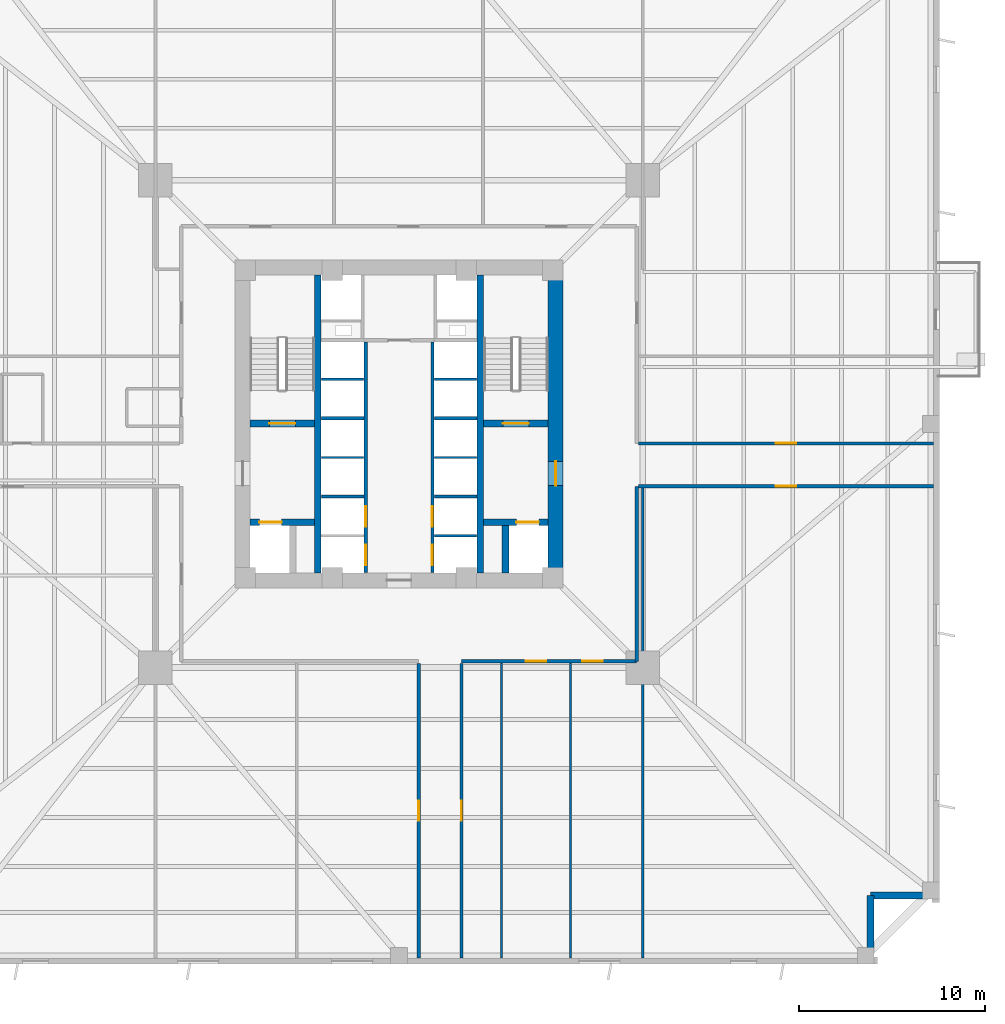
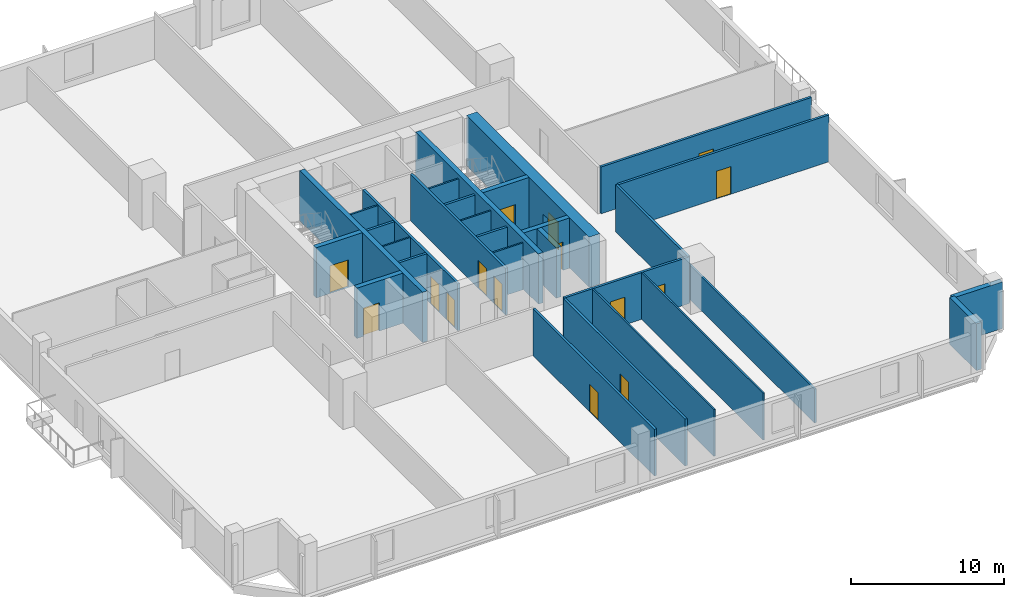
# One storey, part 3 of 9: 30 walls, 15 doors, 15 openings.
"""IFC4 building model written with IfcOpenShell, lengths in metres."""

from ifc_helpers import new_model, si_unit, direction, frame, frame_2d, origin, place, context, subcontext, project, spatial, rectangle, extrude, source, transform, mapped, material, layer, layer_set, type_object, element, fill, save


model = new_model("IFC4")

# Units and contexts
model_context = context("Model", 3, precision=1e-05, world=origin(), true_north=direction((0.0, 1.0)))
body_context = subcontext(model_context, "Body", "Model", "MODEL_VIEW")
ifc_project = project(units=[si_unit("LENGTHUNIT", "METRE"), si_unit("AREAUNIT", "SQUARE_METRE"), si_unit("VOLUMEUNIT", "CUBIC_METRE"), si_unit("PLANEANGLEUNIT", "RADIAN"), si_unit("MASSUNIT", "GRAM", prefix="KILO"), si_unit("THERMODYNAMICTEMPERATUREUNIT", "KELVIN")], contexts=[model_context])

# Site, building, storey
site_placement = place(None, origin())
site = spatial("IfcSite", under=ifc_project, at=site_placement, CompositionType="ELEMENT")
building_placement = place(site_placement, origin())
building = spatial("IfcBuilding", under=site, at=building_placement, Name="Kosmvard Interchange Tower", CompositionType="ELEMENT")
storey_placement = place(building_placement, frame((0.0, 0.0, 70.0)))
storey = spatial("IfcBuildingStorey", under=building, at=storey_placement, Name="L16", CompositionType="ELEMENT", Elevation=70.0)

# Wall
ifc_material_1 = material(Name="Acoustic gypsum partition system")
ifc_layer_1 = layer(ifc_material_1, 0.14990234375, Name="Acoustic gypsum partition system")
ifc_layer_set_1 = layer_set([ifc_layer_1], Name="Acoustic gypsum partition system")
wall_type_1 = type_object("IfcWallType", Name="Acoustic Suite & Meeting Partition 150", PredefinedType="PARTITIONING", material=ifc_layer_set_1)
wall_1_placement = place(storey_placement, frame((13.0810546875, -28.68505859375, 0.0), z_axis=(0.0, 0.0, 1.0), x_axis=(0.0, 1.0, 0.0)))
element("IfcWall", 1, at=wall_1_placement, inside=storey, type_object=wall_type_1, Name="L16 Room Partition 11.1", PredefinedType="PARTITIONING", context=body_context, shape_type="SweptSolid", body=[
    extrude(rectangle(XDim=25.239990234375, YDim=0.14990234375, at=frame_2d((12.6201171875, 0.0))), origin(), (0.0, 0.0, 1.0), 2.7119140625),
])

# Wall, openings, doors
ifc_material_2 = material(Name="Fire-rated gypsum partition system")
ifc_layer_2 = layer(ifc_material_2, 0.179931640625, Name="Fire-rated gypsum partition system")
ifc_layer_set_2 = layer_set([ifc_layer_2], Name="Fire-rated gypsum partition system")
wall_type_2 = type_object("IfcWallType", Name="Corridor & Hotel Compartment Partition 180", PredefinedType="PARTITIONING", material=ifc_layer_set_2)
wall_2_placement = place(storey_placement, frame((-1.7900390625, -7.97998046875, 0.0), z_axis=(0.0, 0.0, 1.0), x_axis=(0.0, 1.0, 0.0)))
wall_2 = element("IfcWall", 2, at=wall_2_placement, inside=storey, type_object=wall_type_2, Name="L16 West Lift Bank Front Wall", PredefinedType="PARTITIONING", context=body_context, shape_type="SweptSolid", body=[
    extrude(rectangle(XDim=12.3798828125, YDim=0.179931640625, at=frame_2d((6.18994140625, 0.0))), origin(), (0.0, 0.0, 1.0), 3.719970703125),
])
opening_1_placement = place(wall_2_placement, frame((0.39990234375, 0.0, 0.0)))
opening_1 = element("IfcOpeningElement", 3, at=opening_1_placement, cuts=wall_2, Name="Opening LD-PL-L1-L16", PredefinedType="OPENING", context=body_context, shape_type="SweptSolid", body=[
    extrude(rectangle(XDim=1.10009765625, YDim=2.199951171875, at=frame_2d((0.550048828125, 1.10009765625))), frame((0.0, 0.10009765625, 0.0), z_axis=(0.0, -1.0, 0.0), x_axis=(1.0, 0.0, 0.0)), (0.0, 0.0, 1.0), 0.199951171875),
])
opening_2_placement = place(wall_2_placement, frame((2.4599609375, 0.0, 0.0)))
opening_2 = element("IfcOpeningElement", 4, at=opening_2_placement, cuts=wall_2, Name="Opening LD-PL-L2-L16", PredefinedType="OPENING", context=body_context, shape_type="SweptSolid", body=[
    extrude(rectangle(XDim=1.10009765625, YDim=2.199951171875, at=frame_2d((0.550048828125, 1.10009765625))), frame((0.0, 0.10009765625, 0.0), z_axis=(0.0, -1.0, 0.0), x_axis=(1.0, 0.0, 0.0)), (0.0, 0.0, 1.0), 0.199951171875),
])
ifc_material_3 = material(Name="Brushed stainless steel sliding leaf", Category="steel")
door_type_1 = type_object("IfcDoorType", Name="Passenger Lift Sliding Landing Door 1100x2200 EI60", OperationType="DOUBLE_DOOR_SLIDING", PredefinedType="DOOR", material=ifc_material_3)
shared_shape_1 = source(origin(), body_context, "Body", "SweptSolid", [
    extrude(rectangle(XDim=1.10009765625, YDim=2.199951171875, at=frame_2d((0.550048828125, 1.10009765625))), frame((0.0, 0.02490234375, 0.0), z_axis=(0.0, -1.0, 0.0), x_axis=(1.0, 0.0, 0.0)), (0.0, 0.0, 1.0), 0.050048828125),
])
door_1_placement = place(opening_1_placement, frame((1.10009765625, 0.0, 0.0), z_axis=(0.0, 0.0, 1.0), x_axis=(-1.0, 0.0, 0.0)))
door_1 = element("IfcDoor", 5, at=door_1_placement, inside=storey, type_object=door_type_1, Name="Lift PL-L1 Landing Door L16", OperationType="DOUBLE_DOOR_SLIDING", OverallHeight=2.199951171875, OverallWidth=1.10009765625, PredefinedType="DOOR", context=body_context, shape_type="MappedRepresentation", body=[
    mapped(shared_shape_1, transform((0.0, 0.0, 0.0), scale=1.0)),
])
fill(opening_1, door_1)
door_2_placement = place(opening_2_placement, frame((1.10009765625, 0.0, 0.0), z_axis=(0.0, 0.0, 1.0), x_axis=(-1.0, 0.0, 0.0)))
door_2 = element("IfcDoor", 6, at=door_2_placement, inside=storey, type_object=door_type_1, Name="Lift PL-L2 Landing Door L16", OperationType="DOUBLE_DOOR_SLIDING", OverallHeight=2.199951171875, OverallWidth=1.10009765625, PredefinedType="DOOR", context=body_context, shape_type="MappedRepresentation", body=[
    mapped(shared_shape_1, transform((0.0, 0.0, 0.0), scale=1.0)),
])
fill(opening_2, door_2)

wall_3_placement = place(storey_placement, frame((1.7900390625, -7.97998046875, 0.0), z_axis=(0.0, 0.0, 1.0), x_axis=(0.0, 1.0, 0.0)))
wall_3 = element("IfcWall", 7, at=wall_3_placement, inside=storey, type_object=wall_type_2, Name="L16 East Lift Bank Front Wall", PredefinedType="PARTITIONING", context=body_context, shape_type="SweptSolid", body=[
    extrude(rectangle(XDim=12.3798828125, YDim=0.179931640625, at=frame_2d((6.18994140625, 0.0))), origin(), (0.0, 0.0, 1.0), 3.719970703125),
])
opening_3_placement = place(wall_3_placement, frame((0.39990234375, 0.0, 0.0)))
opening_3 = element("IfcOpeningElement", 8, at=opening_3_placement, cuts=wall_3, Name="Opening LD-PL-L3-L16", PredefinedType="OPENING", context=body_context, shape_type="SweptSolid", body=[
    extrude(rectangle(XDim=1.10009765625, YDim=2.199951171875, at=frame_2d((0.550048828125, 1.10009765625))), frame((0.0, 0.10009765625, 0.0), z_axis=(0.0, -1.0, 0.0), x_axis=(1.0, 0.0, 0.0)), (0.0, 0.0, 1.0), 0.199951171875),
])
opening_4_placement = place(wall_3_placement, frame((2.4599609375, 0.0, 0.0)))
opening_4 = element("IfcOpeningElement", 9, at=opening_4_placement, cuts=wall_3, Name="Opening LD-PL-L4-L16", PredefinedType="OPENING", context=body_context, shape_type="SweptSolid", body=[
    extrude(rectangle(XDim=1.10009765625, YDim=2.199951171875, at=frame_2d((0.550048828125, 1.10009765625))), frame((0.0, 0.10009765625, 0.0), z_axis=(0.0, -1.0, 0.0), x_axis=(1.0, 0.0, 0.0)), (0.0, 0.0, 1.0), 0.199951171875),
])
door_3_placement = place(opening_3_placement, origin())
door_3 = element("IfcDoor", 10, at=door_3_placement, inside=storey, type_object=door_type_1, Name="Lift PL-L3 Landing Door L16", OperationType="DOUBLE_DOOR_SLIDING", OverallHeight=2.199951171875, OverallWidth=1.10009765625, PredefinedType="DOOR", context=body_context, shape_type="MappedRepresentation", body=[
    mapped(shared_shape_1, transform((0.0, 0.0, 0.0), scale=1.0)),
])
fill(opening_3, door_3)
door_4_placement = place(opening_4_placement, origin())
door_4 = element("IfcDoor", 11, at=door_4_placement, inside=storey, type_object=door_type_1, Name="Lift PL-L4 Landing Door L16", OperationType="DOUBLE_DOOR_SLIDING", OverallHeight=2.199951171875, OverallWidth=1.10009765625, PredefinedType="DOOR", context=body_context, shape_type="MappedRepresentation", body=[
    mapped(shared_shape_1, transform((0.0, 0.0, 0.0), scale=1.0)),
])
fill(opening_4, door_4)

wall_4_placement = place(storey_placement, frame((3.35009765625, -12.75, 0.0), z_axis=(0.0, 0.0, 1.0), x_axis=(1.0, 0.0, 0.0)))
wall_4 = element("IfcWall", 12, at=wall_4_placement, inside=storey, type_object=wall_type_2, Name="L16 Corridor Wall CSE", PredefinedType="PARTITIONING", context=body_context, shape_type="SweptSolid", body=[
    extrude(rectangle(XDim=9.39990234375, YDim=0.179931640625, at=frame_2d((4.699951171875, 0.0))), origin(), (0.0, 0.0, 1.0), 3.719970703125),
])
opening_5_placement = place(wall_4_placement, frame((3.449951171875, 0.0, 0.0)))
opening_5 = element("IfcOpeningElement", 13, at=opening_5_placement, cuts=wall_4, Name="Opening L16-D11", PredefinedType="OPENING", context=body_context, shape_type="SweptSolid", body=[
    extrude(rectangle(XDim=1.10009765625, YDim=2.199951171875, at=frame_2d((0.550048828125, 1.10009765625))), frame((0.0, 0.10009765625, 0.0), z_axis=(0.0, -1.0, 0.0), x_axis=(1.0, 0.0, 0.0)), (0.0, 0.0, 1.0), 0.199951171875),
])
opening_6_placement = place(wall_4_placement, frame((6.470458984375, 0.0, 0.0)))
opening_6 = element("IfcOpeningElement", 14, at=opening_6_placement, cuts=wall_4, Name="Opening L16-D12", PredefinedType="OPENING", context=body_context, shape_type="SweptSolid", body=[
    extrude(rectangle(XDim=1.10009765625, YDim=2.199951171875, at=frame_2d((0.550048828125, 1.10009765625))), frame((0.0, 0.10009765625, 0.0), z_axis=(0.0, -1.0, 0.0), x_axis=(1.0, 0.0, 0.0)), (0.0, 0.0, 1.0), 0.199951171875),
])
ifc_material_4 = material(Name="Engineered oak fire-rated timber", Category="wood")
door_type_2 = type_object("IfcDoorType", Name="Office Suite Entrance Door 1100x2200 FD30S", OperationType="NOTDEFINED", PredefinedType="DOOR", material=ifc_material_4)
door_5_placement = place(opening_5_placement, frame((1.10009765625, 0.0, 0.0), z_axis=(0.0, 0.0, 1.0), x_axis=(-1.0, 0.0, 0.0)))
door_5 = element("IfcDoor", 15, at=door_5_placement, inside=storey, type_object=door_type_2, Name="L16 Equipment Store 2 Door", OperationType="SINGLE_SWING_LEFT", OverallHeight=2.199951171875, OverallWidth=1.10009765625, PredefinedType="DOOR", context=body_context, shape_type="MappedRepresentation", body=[
    mapped(shared_shape_1, transform((0.0, 0.0, 0.0), scale=1.0)),
])
fill(opening_5, door_5)
door_6_placement = place(opening_6_placement, frame((1.10009765625, 0.0, 0.0), z_axis=(0.0, 0.0, 1.0), x_axis=(-1.0, 0.0, 0.0)))
door_6 = element("IfcDoor", 16, at=door_6_placement, inside=storey, type_object=door_type_2, Name="L16 Archive Store 3 Door", OperationType="SINGLE_SWING_RIGHT", OverallHeight=2.199951171875, OverallWidth=1.10009765625, PredefinedType="DOOR", context=body_context, shape_type="MappedRepresentation", body=[
    mapped(shared_shape_1, transform((0.0, 0.0, 0.0), scale=1.0)),
])
fill(opening_6, door_6)

# Wall
wall_5_placement = place(storey_placement, frame((12.75, -12.75, 0.0), z_axis=(0.0, 0.0, 1.0), x_axis=(0.0, 1.0, 0.0)))
element("IfcWall", 17, at=wall_5_placement, inside=storey, type_object=wall_type_2, Name="L16 Corridor Wall CES", PredefinedType="PARTITIONING", context=body_context, shape_type="SweptSolid", body=[
    extrude(rectangle(XDim=9.39990234375, YDim=0.179931640625, at=frame_2d((4.699951171875, 0.0))), origin(), (0.0, 0.0, 1.0), 3.719970703125),
])

# Wall, opening, door
wall_6_placement = place(storey_placement, frame((12.85009765625, -3.35009765625, 0.0), z_axis=(0.0, 0.0, 1.0), x_axis=(1.0, 0.0, 0.0)))
wall_6 = element("IfcWall", 18, at=wall_6_placement, inside=storey, type_object=wall_type_2, Name="L16 Corridor Wall SES", PredefinedType="PARTITIONING", context=body_context, shape_type="SweptSolid", body=[
    extrude(rectangle(XDim=15.8349609375, YDim=0.179931640625, at=frame_2d((7.91748046875, 0.0))), origin(), (0.0, 0.0, 1.0), 3.719970703125),
])
opening_7_placement = place(wall_6_placement, frame((7.367431640625, 0.0, 0.0)))
opening_7 = element("IfcOpeningElement", 19, at=opening_7_placement, cuts=wall_6, Name="Opening L16-D13", PredefinedType="OPENING", context=body_context, shape_type="SweptSolid", body=[
    extrude(rectangle(XDim=1.10009765625, YDim=2.199951171875, at=frame_2d((0.550048828125, 1.10009765625))), frame((0.0, 0.10009765625, 0.0), z_axis=(0.0, -1.0, 0.0), x_axis=(1.0, 0.0, 0.0)), (0.0, 0.0, 1.0), 0.199951171875),
])
door_7_placement = place(opening_7_placement, frame((1.10009765625, 0.0, 0.0), z_axis=(0.0, 0.0, 1.0), x_axis=(-1.0, 0.0, 0.0)))
door_7 = element("IfcDoor", 20, at=door_7_placement, inside=storey, type_object=door_type_2, Name="L16 South-East Open Studio Door", OperationType="SINGLE_SWING_LEFT", OverallHeight=2.199951171875, OverallWidth=1.10009765625, PredefinedType="DOOR", context=body_context, shape_type="MappedRepresentation", body=[
    mapped(shared_shape_1, transform((0.0, 0.0, 0.0), scale=1.0)),
])
fill(opening_7, door_7)

wall_7_placement = place(storey_placement, frame((12.85009765625, -1.050048828125, 0.0), z_axis=(0.0, 0.0, 1.0), x_axis=(1.0, 0.0, 0.0)))
wall_7 = element("IfcWall", 21, at=wall_7_placement, inside=storey, type_object=wall_type_2, Name="L16 Corridor Wall SEN", PredefinedType="PARTITIONING", context=body_context, shape_type="SweptSolid", body=[
    extrude(rectangle(XDim=15.8349609375, YDim=0.179931640625, at=frame_2d((7.91748046875, 0.0))), origin(), (0.0, 0.0, 1.0), 3.719970703125),
])
opening_8_placement = place(wall_7_placement, frame((7.367431640625, 0.0, 0.0)))
opening_8 = element("IfcOpeningElement", 22, at=opening_8_placement, cuts=wall_7, Name="Opening L16-D08", PredefinedType="OPENING", context=body_context, shape_type="SweptSolid", body=[
    extrude(rectangle(XDim=1.10009765625, YDim=2.199951171875, at=frame_2d((0.550048828125, 1.10009765625))), frame((0.0, 0.10009765625, 0.0), z_axis=(0.0, -1.0, 0.0), x_axis=(1.0, 0.0, 0.0)), (0.0, 0.0, 1.0), 0.199951171875),
])
door_8_placement = place(opening_8_placement, origin())
door_8 = element("IfcDoor", 23, at=door_8_placement, inside=storey, type_object=door_type_2, Name="L16 East Operations Office 1 Door", OperationType="SINGLE_SWING_RIGHT", OverallHeight=2.199951171875, OverallWidth=1.10009765625, PredefinedType="DOOR", context=body_context, shape_type="MappedRepresentation", body=[
    mapped(shared_shape_1, transform((0.0, 0.0, 0.0), scale=1.0)),
])
fill(opening_8, door_8)

wall_8_placement = place(storey_placement, frame((1.050048828125, -28.68505859375, 0.0), z_axis=(0.0, 0.0, 1.0), x_axis=(0.0, 1.0, 0.0)))
wall_8 = element("IfcWall", 24, at=wall_8_placement, inside=storey, type_object=wall_type_2, Name="L16 Corridor Wall SSW", PredefinedType="PARTITIONING", context=body_context, shape_type="SweptSolid", body=[
    extrude(rectangle(XDim=15.8349609375, YDim=0.179931640625, at=frame_2d((7.91748046875, 0.0))), origin(), (0.0, 0.0, 1.0), 3.719970703125),
])
opening_9_placement = place(wall_8_placement, frame((7.367431640625, 0.0, 0.0)))
opening_9 = element("IfcOpeningElement", 25, at=opening_9_placement, cuts=wall_8, Name="Opening L16-D16", PredefinedType="OPENING", context=body_context, shape_type="SweptSolid", body=[
    extrude(rectangle(XDim=1.10009765625, YDim=2.199951171875, at=frame_2d((0.550048828125, 1.10009765625))), frame((0.0, 0.10009765625, 0.0), z_axis=(0.0, -1.0, 0.0), x_axis=(1.0, 0.0, 0.0)), (0.0, 0.0, 1.0), 0.199951171875),
])
door_9_placement = place(opening_9_placement, origin())
door_9 = element("IfcDoor", 26, at=door_9_placement, inside=storey, type_object=door_type_2, Name="L16 Janitorial Store 4 Door", OperationType="SINGLE_SWING_RIGHT", OverallHeight=2.199951171875, OverallWidth=1.10009765625, PredefinedType="DOOR", context=body_context, shape_type="MappedRepresentation", body=[
    mapped(shared_shape_1, transform((0.0, 0.0, 0.0), scale=1.0)),
])
fill(opening_9, door_9)

wall_9_placement = place(storey_placement, frame((3.35009765625, -28.68505859375, 0.0), z_axis=(0.0, 0.0, 1.0), x_axis=(0.0, 1.0, 0.0)))
wall_9 = element("IfcWall", 27, at=wall_9_placement, inside=storey, type_object=wall_type_2, Name="L16 Corridor Wall SSE", PredefinedType="PARTITIONING", context=body_context, shape_type="SweptSolid", body=[
    extrude(rectangle(XDim=15.8349609375, YDim=0.179931640625, at=frame_2d((7.91748046875, 0.0))), origin(), (0.0, 0.0, 1.0), 3.719970703125),
])
opening_10_placement = place(wall_9_placement, frame((7.367431640625, 0.0, 0.0)))
opening_10 = element("IfcOpeningElement", 28, at=opening_10_placement, cuts=wall_9, Name="Opening L16-D10", PredefinedType="OPENING", context=body_context, shape_type="SweptSolid", body=[
    extrude(rectangle(XDim=1.10009765625, YDim=2.199951171875, at=frame_2d((0.550048828125, 1.10009765625))), frame((0.0, 0.10009765625, 0.0), z_axis=(0.0, -1.0, 0.0), x_axis=(1.0, 0.0, 0.0)), (0.0, 0.0, 1.0), 0.199951171875),
])
door_10_placement = place(opening_10_placement, frame((1.10009765625, 0.0, 0.0), z_axis=(0.0, 0.0, 1.0), x_axis=(-1.0, 0.0, 0.0)))
door_10 = element("IfcDoor", 29, at=door_10_placement, inside=storey, type_object=door_type_2, Name="L16 Facility Supplies Store 1 Door", OperationType="SINGLE_SWING_RIGHT", OverallHeight=2.199951171875, OverallWidth=1.10009765625, PredefinedType="DOOR", context=body_context, shape_type="MappedRepresentation", body=[
    mapped(shared_shape_1, transform((0.0, 0.0, 0.0), scale=1.0)),
])
fill(opening_10, door_10)

ifc_material_5 = material(Name="Concrete C80/95", Category="concrete")
ifc_layer_3 = layer(ifc_material_5, 0.800048828125, Name="Concrete C80/95")
ifc_layer_set_3 = layer_set([ifc_layer_3], Name="Concrete C80/95")
wall_type_3 = type_object("IfcWallType", Name="Lower Core Shear Wall 800 C80/95", PredefinedType="SHEAR", material=ifc_layer_set_3)
wall_10_placement = place(storey_placement, frame((8.39990234375, -8.0, 0.0), z_axis=(0.0, 0.0, 1.0), x_axis=(0.0, 1.0, 0.0)))
wall_10 = element("IfcWall", 30, at=wall_10_placement, inside=storey, type_object=wall_type_3, Name="L16 Core Shear Wall CW-E", PredefinedType="SHEAR", context=body_context, shape_type="SweptSolid", body=[
    extrude(rectangle(XDim=16.0, YDim=0.800048828125, at=frame_2d((8.0, 0.0))), origin(), (0.0, 0.0, 1.0), 4.0),
])
opening_11_placement = place(wall_10_placement, frame((4.68994140625, 0.0, 0.0)))
opening_11 = element("IfcOpeningElement", 31, at=opening_11_placement, cuts=wall_10, Name="Opening L16-FD2", PredefinedType="OPENING", context=body_context, shape_type="SweptSolid", body=[
    extrude(rectangle(XDim=1.300048828125, YDim=2.199951171875, at=frame_2d((0.64990234375, 1.10009765625))), frame((0.0, 0.41015625, 0.0), z_axis=(0.0, -1.0, 0.0), x_axis=(1.0, 0.0, 0.0)), (0.0, 0.0, 1.0), 0.820068359375),
])
ifc_material_6 = material(Name="Painted fire-rated steel leaf", Category="steel")
door_type_3 = type_object("IfcDoorType", Name="Firefighting Lobby Door 1300x2200 EI60", OperationType="NOTDEFINED", PredefinedType="DOOR", material=ifc_material_6)
shared_shape_2 = source(origin(), body_context, "Body", "SweptSolid", [
    extrude(rectangle(XDim=1.300048828125, YDim=2.199951171875, at=frame_2d((0.64990234375, 1.10009765625))), frame((0.0, 0.02490234375, 0.0), z_axis=(0.0, -1.0, 0.0), x_axis=(1.0, 0.0, 0.0)), (0.0, 0.0, 1.0), 0.050048828125),
])
door_11_placement = place(opening_11_placement, origin())
door_11 = element("IfcDoor", 32, at=door_11_placement, inside=storey, type_object=door_type_3, Name="L16 Firefighting Lobby East Door", OperationType="SINGLE_SWING_RIGHT", OverallHeight=2.199951171875, OverallWidth=1.300048828125, PredefinedType="DOOR", context=body_context, shape_type="MappedRepresentation", body=[
    mapped(shared_shape_2, transform((0.0, 0.0, 0.0), scale=1.0)),
])
fill(opening_11, door_11)

# Walls
ifc_material_7 = material(Name="Precast concrete C45/55", Category="concrete")
ifc_layer_4 = layer(ifc_material_7, 0.3798828125, Name="Precast concrete C45/55")
ifc_layer_set_4 = layer_set([ifc_layer_4], Name="Precast concrete C45/55")
wall_type_4 = type_object("IfcWallType", Name="Lower Tower Precast Pier Wall 380 C45/55", PredefinedType="STANDARD", material=ifc_layer_set_4)
wall_11_placement = place(storey_placement, frame((25.31005859375, -28.81005859375, 0.0), z_axis=(0.0, 0.0, 1.0), x_axis=(0.0, 1.0, 0.0)))
element("IfcWall", 33, at=wall_11_placement, inside=storey, type_object=wall_type_4, Name="L16 Precast Facade Wall N-SE1", PredefinedType="STANDARD", context=body_context, shape_type="SweptSolid", body=[
    extrude(rectangle(XDim=3.5, YDim=0.3798828125, at=frame_2d((1.75, 0.0))), origin(), (0.0, 0.0, 1.0), 3.719970703125),
])
wall_12_placement = place(storey_placement, frame((25.31005859375, -25.31005859375, 0.0), z_axis=(0.0, 0.0, 1.0), x_axis=(1.0, 0.0, 0.0)))
element("IfcWall", 34, at=wall_12_placement, inside=storey, type_object=wall_type_4, Name="L16 Precast Facade Wall N-SE2", PredefinedType="STANDARD", context=body_context, shape_type="SweptSolid", body=[
    extrude(rectangle(XDim=3.68994140625, YDim=0.3798828125, at=frame_2d((1.844970703125, 0.0))), origin(), (0.0, 0.0, 1.0), 3.719970703125),
])
ifc_material_8 = material(Name="Gypsum board partition system")
ifc_layer_5 = layer(ifc_material_8, 0.1201171875, Name="Gypsum board partition system")
ifc_layer_set_5 = layer_set([ifc_layer_5], Name="Gypsum board partition system")
wall_type_5 = type_object("IfcWallType", Name="Office Cellular Partition 120", PredefinedType="PARTITIONING", material=ifc_layer_set_5)
for number, where, z_axis, x_axis, name in (
    (35, (5.5, -28.68505859375, 0.0), (0.0, 0.0, 1.0), (0.0, 1.0, 0.0), "L16 Room Partition 09.1"),
    (36, (9.199951171875, -28.68505859375, 0.0), (0.0, 0.0, 1.0), (0.0, 1.0, 0.0), "L16 Room Partition 10.1"),
):
    element("IfcWall", number, at=place(storey_placement, frame(where, z_axis=z_axis, x_axis=x_axis)), inside=storey, type_object=wall_type_5, Name=name, PredefinedType="PARTITIONING", context=body_context, shape_type="SweptSolid", body=[
        extrude(rectangle(XDim=15.840087890625, YDim=0.1201171875, at=frame_2d((7.919921875, 0.0))), origin(), (0.0, 0.0, 1.0), 3.719970703125),
    ])
ifc_material_9 = material(Name="Concrete blockwork masonry", Category="masonry")
ifc_layer_6 = layer(ifc_material_9, 0.179931640625, Name="Concrete blockwork masonry")
ifc_layer_set_6 = layer_set([ifc_layer_6], Name="Concrete blockwork masonry")
wall_type_6 = type_object("IfcWallType", Name="Riser & Lift Bank Divider Wall 180", PredefinedType="PARTITIONING", material=ifc_layer_set_6)
for number, where, z_axis, x_axis, name in (
    (37, (-4.169921875, -3.89990234375, 0.0), (0.0, 0.0, 1.0), (1.0, 0.0, 0.0), "L16 West Bank Divider BD1"),
    (38, (1.889892578125, -3.89990234375, 0.0), (0.0, 0.0, 1.0), (1.0, 0.0, 0.0), "L16 East Bank Divider BD1"),
    (39, (-4.169921875, 0.300048828125, 0.0), (0.0, 0.0, 1.0), (1.0, 0.0, 0.0), "L16 West Bank Divider BD2"),
    (40, (1.889892578125, 0.300048828125, 0.0), (0.0, 0.0, 1.0), (1.0, 0.0, 0.0), "L16 East Bank Divider BD2"),
):
    element("IfcWall", number, at=place(storey_placement, frame(where, z_axis=z_axis, x_axis=x_axis)), inside=storey, type_object=wall_type_6, Name=name, PredefinedType="PARTITIONING", context=body_context, shape_type="SweptSolid", body=[
        extrude(rectangle(XDim=2.280029296875, YDim=0.179931640625, at=frame_2d((1.14013671875, 0.0))), origin(), (0.0, 0.0, 1.0), 3.719970703125),
    ])
ifc_material_10 = material(Name="Fire-rated gypsum shaftwall system")
ifc_layer_7 = layer(ifc_material_10, 0.1201171875, Name="Fire-rated gypsum shaftwall system")
ifc_layer_set_7 = layer_set([ifc_layer_7], Name="Fire-rated gypsum shaftwall system")
wall_type_7 = type_object("IfcWallType", Name="Shaft & Riser Fire Partition 120 EI60", PredefinedType="PARTITIONING", material=ifc_layer_set_7)
for number, where, z_axis, x_axis, name in (
    (41, (1.89990234375, -6.0, 0.0), (0.0, 0.0, 1.0), (1.0, 0.0, 0.0), "L16 Shaft Divider PL-L3"),
    (42, (-4.159912109375, -1.800048828125, 0.0), (0.0, 0.0, 1.0), (1.0, 0.0, 0.0), "L16 Shaft Divider PL-M1"),
    (43, (1.89990234375, -1.800048828125, 0.0), (0.0, 0.0, 1.0), (1.0, 0.0, 0.0), "L16 Shaft Divider PL-M3"),
    (44, (-4.159912109375, 2.39990234375, 0.0), (0.0, 0.0, 1.0), (1.0, 0.0, 0.0), "L16 Shaft Divider PL-H1"),
    (45, (1.89990234375, 2.39990234375, 0.0), (0.0, 0.0, 1.0), (1.0, 0.0, 0.0), "L16 Shaft Divider PL-H3"),
):
    element("IfcWall", number, at=place(storey_placement, frame(where, z_axis=z_axis, x_axis=x_axis)), inside=storey, type_object=wall_type_7, Name=name, PredefinedType="PARTITIONING", context=body_context, shape_type="SweptSolid", body=[
        extrude(rectangle(XDim=2.260009765625, YDim=0.1201171875, at=frame_2d((1.1298828125, 0.0))), origin(), (0.0, 0.0, 1.0), 3.719970703125),
    ])
ifc_material_11 = material(Name="Concrete C60/75", Category="concrete")
ifc_layer_8 = layer(ifc_material_11, 0.360107421875, Name="Concrete C60/75")
ifc_layer_set_8 = layer_set([ifc_layer_8], Name="Concrete C60/75")
wall_type_8 = type_object("IfcWallType", Name="Stair & Lift Shaft Shear Wall 360 C60/75", PredefinedType="SHEAR", material=ifc_layer_set_8)
for number, where, z_axis, x_axis, name in (
    (46, (-4.360107421875, -8.0, 0.0), (0.0, 0.0, 1.0), (0.0, 1.0, 0.0), "L16 Shaft Shear Wall SW-W"),
    (47, (4.360107421875, -8.0, 0.0), (0.0, 0.0, 1.0), (0.0, 1.0, 0.0), "L16 Shaft Shear Wall SW-E"),
):
    element("IfcWall", number, at=place(storey_placement, frame(where, z_axis=z_axis, x_axis=x_axis)), inside=storey, type_object=wall_type_8, Name=name, PredefinedType="SHEAR", context=body_context, shape_type="SweptSolid", body=[
        extrude(rectangle(XDim=16.0, YDim=0.360107421875, at=frame_2d((8.0, 0.0))), origin(), (0.0, 0.0, 1.0), 4.0),
    ])

# Wall, opening, door
wall_13_placement = place(storey_placement, frame((-8.0, 0.02001953125, 0.0), z_axis=(0.0, 0.0, 1.0), x_axis=(1.0, 0.0, 0.0)))
wall_13 = element("IfcWall", 48, at=wall_13_placement, inside=storey, type_object=wall_type_8, Name="L16 Shaft Shear Wall SW-ST1", PredefinedType="SHEAR", context=body_context, shape_type="SweptSolid", body=[
    extrude(rectangle(XDim=3.4599609375, YDim=0.360107421875, at=frame_2d((1.72998046875, 0.0))), origin(), (0.0, 0.0, 1.0), 4.0),
])
opening_12_placement = place(wall_13_placement, frame((1.030029296875, 0.0, 0.0)))
opening_12 = element("IfcOpeningElement", 49, at=opening_12_placement, cuts=wall_13, Name="Opening L16-SD1", PredefinedType="OPENING", context=body_context, shape_type="SweptSolid", body=[
    extrude(rectangle(XDim=1.39990234375, YDim=2.199951171875, at=frame_2d((0.699951171875, 1.10009765625))), frame((0.0, 0.18994140625, 0.0), z_axis=(0.0, -1.0, 0.0), x_axis=(1.0, 0.0, 0.0)), (0.0, 0.0, 1.0), 0.380126953125),
])
door_type_4 = type_object("IfcDoorType", Name="Protected Stair Door 1400x2200 FD60S", OperationType="NOTDEFINED", PredefinedType="DOOR", material=ifc_material_6)
shared_shape_3 = source(origin(), body_context, "Body", "SweptSolid", [
    extrude(rectangle(XDim=1.39990234375, YDim=2.199951171875, at=frame_2d((0.699951171875, 1.10009765625))), frame((0.0, 0.02490234375, 0.0), z_axis=(0.0, -1.0, 0.0), x_axis=(1.0, 0.0, 0.0)), (0.0, 0.0, 1.0), 0.050048828125),
])
door_12_placement = place(opening_12_placement, origin())
door_12 = element("IfcDoor", 50, at=door_12_placement, inside=storey, type_object=door_type_4, Name="L16 Stair ST-1 Enclosure Door", OperationType="SINGLE_SWING_LEFT", OverallHeight=2.199951171875, OverallWidth=1.39990234375, PredefinedType="DOOR", context=body_context, shape_type="MappedRepresentation", body=[
    mapped(shared_shape_3, transform((0.0, 0.0, 0.0), scale=1.0)),
])
fill(opening_12, door_12)

wall_14_placement = place(storey_placement, frame((4.5400390625, 0.02001953125, 0.0), z_axis=(0.0, 0.0, 1.0), x_axis=(1.0, 0.0, 0.0)))
wall_14 = element("IfcWall", 51, at=wall_14_placement, inside=storey, type_object=wall_type_8, Name="L16 Shaft Shear Wall SW-ST2", PredefinedType="SHEAR", context=body_context, shape_type="SweptSolid", body=[
    extrude(rectangle(XDim=3.4599609375, YDim=0.360107421875, at=frame_2d((1.72998046875, 0.0))), origin(), (0.0, 0.0, 1.0), 4.0),
])
opening_13_placement = place(wall_14_placement, frame((1.030029296875, 0.0, 0.0)))
opening_13 = element("IfcOpeningElement", 52, at=opening_13_placement, cuts=wall_14, Name="Opening L16-SD2", PredefinedType="OPENING", context=body_context, shape_type="SweptSolid", body=[
    extrude(rectangle(XDim=1.39990234375, YDim=2.199951171875, at=frame_2d((0.699951171875, 1.10009765625))), frame((0.0, 0.18994140625, 0.0), z_axis=(0.0, -1.0, 0.0), x_axis=(1.0, 0.0, 0.0)), (0.0, 0.0, 1.0), 0.380126953125),
])
door_13_placement = place(opening_13_placement, origin())
door_13 = element("IfcDoor", 53, at=door_13_placement, inside=storey, type_object=door_type_4, Name="L16 Stair ST-2 Enclosure Door", OperationType="SINGLE_SWING_RIGHT", OverallHeight=2.199951171875, OverallWidth=1.39990234375, PredefinedType="DOOR", context=body_context, shape_type="MappedRepresentation", body=[
    mapped(shared_shape_3, transform((0.0, 0.0, 0.0), scale=1.0)),
])
fill(opening_13, door_13)

wall_15_placement = place(storey_placement, frame((-8.0, -5.280029296875, 0.0), z_axis=(0.0, 0.0, 1.0), x_axis=(1.0, 0.0, 0.0)))
wall_15 = element("IfcWall", 54, at=wall_15_placement, inside=storey, type_object=wall_type_8, Name="L16 Shaft Shear Wall SW-FF1", PredefinedType="SHEAR", context=body_context, shape_type="SweptSolid", body=[
    extrude(rectangle(XDim=3.4599609375, YDim=0.360107421875, at=frame_2d((1.72998046875, 0.0))), origin(), (0.0, 0.0, 1.0), 4.0),
])
opening_14_placement = place(wall_15_placement, frame((0.5, 0.0, 0.0)))
opening_14 = element("IfcOpeningElement", 55, at=opening_14_placement, cuts=wall_15, Name="Opening LD-FF-1-L16", PredefinedType="OPENING", context=body_context, shape_type="SweptSolid", body=[
    extrude(rectangle(XDim=1.199951171875, YDim=2.25, at=frame_2d((0.60009765625, 1.125))), frame((0.0, 0.18994140625, 0.0), z_axis=(0.0, -1.0, 0.0), x_axis=(1.0, 0.0, 0.0)), (0.0, 0.0, 1.0), 0.380126953125),
])
door_type_5 = type_object("IfcDoorType", Name="Firefighting Lift Sliding Landing Door 1200x2250 EI120", OperationType="DOUBLE_DOOR_SLIDING", PredefinedType="DOOR", material=ifc_material_3)
shared_shape_4 = source(origin(), body_context, "Body", "SweptSolid", [
    extrude(rectangle(XDim=1.199951171875, YDim=2.25, at=frame_2d((0.60009765625, 1.125))), frame((0.0, 0.02490234375, 0.0), z_axis=(0.0, -1.0, 0.0), x_axis=(1.0, 0.0, 0.0)), (0.0, 0.0, 1.0), 0.050048828125),
])
door_14_placement = place(opening_14_placement, origin())
door_14 = element("IfcDoor", 56, at=door_14_placement, inside=storey, type_object=door_type_5, Name="Lift FF-1 Landing Door L16", OperationType="DOUBLE_DOOR_SLIDING", OverallHeight=2.25, OverallWidth=1.199951171875, PredefinedType="DOOR", context=body_context, shape_type="MappedRepresentation", body=[
    mapped(shared_shape_4, transform((0.0, 0.0, 0.0), scale=1.0)),
])
fill(opening_14, door_14)

wall_16_placement = place(storey_placement, frame((4.5400390625, -5.280029296875, 0.0), z_axis=(0.0, 0.0, 1.0), x_axis=(1.0, 0.0, 0.0)))
wall_16 = element("IfcWall", 57, at=wall_16_placement, inside=storey, type_object=wall_type_8, Name="L16 Shaft Shear Wall SW-FF2", PredefinedType="SHEAR", context=body_context, shape_type="SweptSolid", body=[
    extrude(rectangle(XDim=3.4599609375, YDim=0.360107421875, at=frame_2d((1.72998046875, 0.0))), origin(), (0.0, 0.0, 1.0), 4.0),
])
opening_15_placement = place(wall_16_placement, frame((1.760009765625, 0.0, 0.0)))
opening_15 = element("IfcOpeningElement", 58, at=opening_15_placement, cuts=wall_16, Name="Opening LD-FF-2-L16", PredefinedType="OPENING", context=body_context, shape_type="SweptSolid", body=[
    extrude(rectangle(XDim=1.199951171875, YDim=2.25, at=frame_2d((0.60009765625, 1.125))), frame((0.0, 0.18994140625, 0.0), z_axis=(0.0, -1.0, 0.0), x_axis=(1.0, 0.0, 0.0)), (0.0, 0.0, 1.0), 0.380126953125),
])
door_15_placement = place(opening_15_placement, origin())
door_15 = element("IfcDoor", 59, at=door_15_placement, inside=storey, type_object=door_type_5, Name="Lift FF-2 Landing Door L16", OperationType="DOUBLE_DOOR_SLIDING", OverallHeight=2.25, OverallWidth=1.199951171875, PredefinedType="DOOR", context=body_context, shape_type="MappedRepresentation", body=[
    mapped(shared_shape_4, transform((0.0, 0.0, 0.0), scale=1.0)),
])
fill(opening_15, door_15)

# Wall
wall_17_placement = place(storey_placement, frame((5.7099609375, -8.0, 0.0), z_axis=(0.0, 0.0, 1.0), x_axis=(0.0, 1.0, 0.0)))
element("IfcWall", 60, at=wall_17_placement, inside=storey, type_object=wall_type_8, Name="L16 Shaft Shear Wall SW-SM2", PredefinedType="SHEAR", context=body_context, shape_type="SweptSolid", body=[
    extrude(rectangle(XDim=2.5400390625, YDim=0.360107421875, at=frame_2d((1.27001953125, 0.0))), origin(), (0.0, 0.0, 1.0), 4.0),
])

save(model, "model.ifc")
